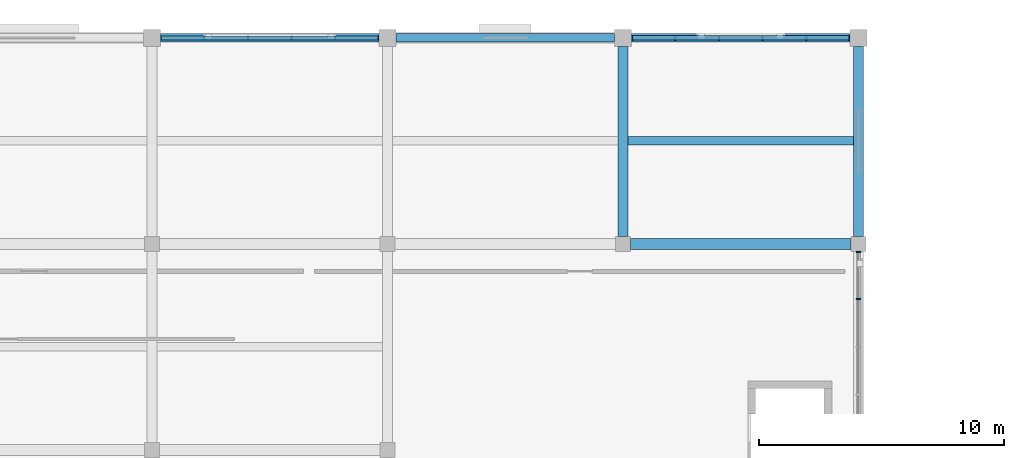
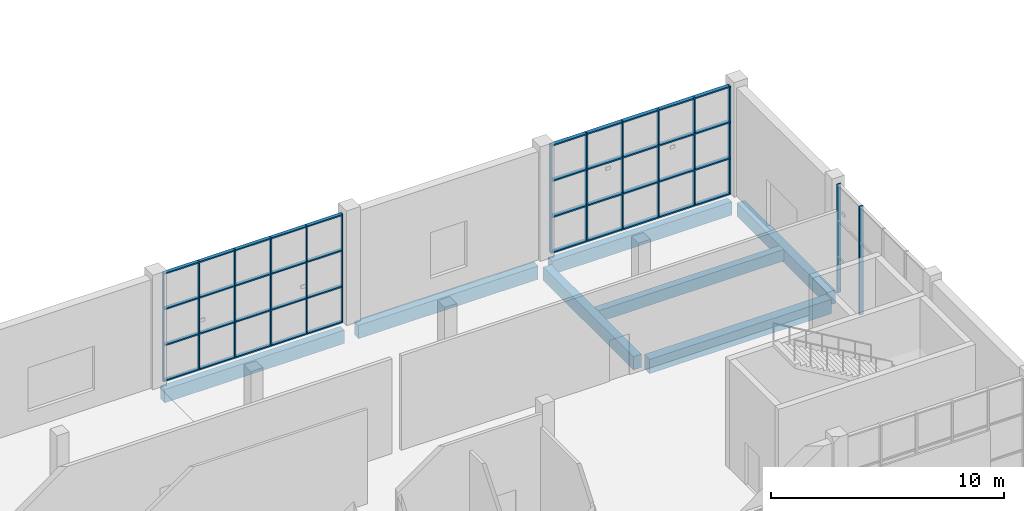
# One storey, part 34 of 84: 22 members, 7 beams, 3 elements without a shape of their own.
"""IFC4 building model written with IfcOpenShell, lengths in metres."""

from ifc_helpers import new_model, si_unit, direction, frame, origin, origin_2d, place, context, subcontext, project, spatial, rectangle, extrude, material, material_profile, profile_set, type_object, element, aggregate, save


model = new_model("IFC4")

# Units and contexts
model_context = context("Model", 3, precision=1e-05, world=origin(), true_north=direction((0.0, 1.0)))
body_context = subcontext(model_context, "Body", "Model", "MODEL_VIEW")
ifc_project = project(units=[si_unit("LENGTHUNIT", "METRE"), si_unit("AREAUNIT", "SQUARE_METRE"), si_unit("VOLUMEUNIT", "CUBIC_METRE"), si_unit("PLANEANGLEUNIT", "RADIAN"), si_unit("MASSUNIT", "GRAM", prefix="KILO")], contexts=[model_context])

# Site, building, storey
site_placement = place(None, origin())
site = spatial("IfcSite", under=ifc_project, at=site_placement, CompositionType="ELEMENT")
building_placement = place(site_placement, origin())
building = spatial("IfcBuilding", under=site, at=building_placement, Name="Shalvenor Court Art Gallery", CompositionType="ELEMENT")
storey_placement = place(building_placement, origin())
storey = spatial("IfcBuildingStorey", under=building, at=storey_placement, Name="L00", CompositionType="ELEMENT", Elevation=0.0)

# Beams
ifc_material_1 = material(Name="Concrete C40/50", Category="concrete")
ifc_material_profile_1 = material_profile(ifc_material_1, rectangle(XDim=0.449951171875, YDim=0.75, at=origin_2d()), Name="RC 450x750")
ifc_profile_set_1 = profile_set([ifc_material_profile_1], Name="Concrete C40/50")
beam_type_1 = type_object("IfcBeamType", Name="B-04", PredefinedType="BEAM", material=ifc_profile_set_1)
beam_1_placement = place(storey_placement, frame((115.5, 114.0, -0.715087890625), z_axis=(1.0, 0.0, 0.0), x_axis=(0.0, 1.0, 0.0)))
element("IfcBeam", 1, at=beam_1_placement, inside=storey, type_object=beam_type_1, Name="L00 Girder BM-L00-B-04-0268", PredefinedType="BEAM", context=body_context, shape_type="SweptSolid", body=[
    extrude(rectangle(XDim=0.449951171875, YDim=0.75, at=origin_2d()), origin(), (0.0, 0.0, 1.0), 9.0),
])
ifc_material_2 = material(Name="Concrete C40/50", Category="concrete")
ifc_material_profile_2 = material_profile(ifc_material_2, rectangle(XDim=0.39990234375, YDim=0.699951171875, at=origin_2d()), Name="RC 400x700")
ifc_profile_set_2 = profile_set([ifc_material_profile_2], Name="Concrete C40/50")
beam_type_2 = type_object("IfcBeamType", Name="B-05", PredefinedType="BEAM", material=ifc_profile_set_2)
for number, where, z_axis, x_axis, name in (
    (2, (115.199951171875, 114.300048828125, -0.68994140625), (0.0, 1.0, 0.0), (-1.0, 0.0, 0.0), "L00 Girder BM-L00-B-05-0095"),
    (3, (124.800048828125, 114.300048828125, -0.68994140625), (0.0, 1.0, 0.0), (-1.0, 0.0, 0.0), "L00 Girder BM-L00-B-05-0105"),
):
    element("IfcBeam", number, at=place(storey_placement, frame(where, z_axis=z_axis, x_axis=x_axis)), inside=storey, type_object=beam_type_2, Name=name, PredefinedType="BEAM", context=body_context, shape_type="SweptSolid", body=[
        extrude(rectangle(XDim=0.39990234375, YDim=0.699951171875, at=origin_2d()), origin(), (0.0, 0.0, 1.0), 7.75),
    ])

# Curtain wall, members
ifc_material_3 = material(Name="Anodised aluminium and low-iron glass curtain wall", Category="aluminium")
curtain_wall_type_1 = type_object("IfcCurtainWallType", Name="CW-5x3-89-57-142", PredefinedType="USERDEFINED", material=ifc_material_3)
curtain_wall_1_placement = place(storey_placement, origin())
curtain_wall_1 = element("IfcCurtainWall", 4, at=curtain_wall_1_placement, inside=storey, type_object=curtain_wall_type_1, Name="L00 V2 Curtain Wall CW-L00-056", ObjectType="CURTAIN WALL", PredefinedType="USERDEFINED")
ifc_material_4 = material(Name="Anodised aluminium mullion", Category="aluminium")
ifc_material_profile_3 = material_profile(ifc_material_4, rectangle(XDim=0.06494140625, YDim=0.179931640625, at=origin_2d()), Name="CWM-01")
ifc_profile_set_3 = profile_set([ifc_material_profile_3], Name="Anodised aluminium mullion")
member_type_1 = type_object("IfcMemberType", Name="CWM-01", PredefinedType="MULLION", material=ifc_profile_set_3)
member_1_placement = place(storey_placement, frame((115.58251953125, 122.39990234375, 0.0), z_axis=(0.0, 0.0, 1.0), x_axis=(1.0, 0.0, 0.0)))
member_1 = element("IfcMember", 5, at=member_1_placement, type_object=member_type_1, Name="CW-5x3-89-57-142 mullion 1", PredefinedType="MULLION", context=body_context, shape_type="SweptSolid", body=[
    extrude(rectangle(XDim=0.06494140625, YDim=0.179931640625, at=origin_2d()), origin(), (0.0, 0.0, 1.0), 5.679931640625),
])
member_2_placement = place(storey_placement, frame((117.330078125, 122.39990234375, 0.0), z_axis=(0.0, 0.0, 1.0), x_axis=(1.0, 0.0, 0.0)))
member_2 = element("IfcMember", 6, at=member_2_placement, type_object=member_type_1, Name="CW-5x3-89-57-142 mullion 2", PredefinedType="MULLION", context=body_context, shape_type="SweptSolid", body=[
    extrude(rectangle(XDim=0.06494140625, YDim=0.179931640625, at=origin_2d()), origin(), (0.0, 0.0, 1.0), 5.679931640625),
])
member_3_placement = place(storey_placement, frame((119.110107421875, 122.39990234375, 0.0), z_axis=(0.0, 0.0, 1.0), x_axis=(1.0, 0.0, 0.0)))
member_3 = element("IfcMember", 7, at=member_3_placement, type_object=member_type_1, Name="CW-5x3-89-57-142 mullion 3", PredefinedType="MULLION", context=body_context, shape_type="SweptSolid", body=[
    extrude(rectangle(XDim=0.06494140625, YDim=0.179931640625, at=origin_2d()), origin(), (0.0, 0.0, 1.0), 5.679931640625),
])
member_4_placement = place(storey_placement, frame((120.889892578125, 122.39990234375, 0.0), z_axis=(0.0, 0.0, 1.0), x_axis=(1.0, 0.0, 0.0)))
member_4 = element("IfcMember", 8, at=member_4_placement, type_object=member_type_1, Name="CW-5x3-89-57-142 mullion 4", PredefinedType="MULLION", context=body_context, shape_type="SweptSolid", body=[
    extrude(rectangle(XDim=0.06494140625, YDim=0.179931640625, at=origin_2d()), origin(), (0.0, 0.0, 1.0), 5.679931640625),
])
member_5_placement = place(storey_placement, frame((122.669921875, 122.39990234375, 0.0), z_axis=(0.0, 0.0, 1.0), x_axis=(1.0, 0.0, 0.0)))
member_5 = element("IfcMember", 9, at=member_5_placement, type_object=member_type_1, Name="CW-5x3-89-57-142 mullion 5", PredefinedType="MULLION", context=body_context, shape_type="SweptSolid", body=[
    extrude(rectangle(XDim=0.06494140625, YDim=0.179931640625, at=origin_2d()), origin(), (0.0, 0.0, 1.0), 5.679931640625),
])
member_6_placement = place(storey_placement, frame((124.41748046875, 122.39990234375, 0.0), z_axis=(0.0, 0.0, 1.0), x_axis=(1.0, 0.0, 0.0)))
member_6 = element("IfcMember", 10, at=member_6_placement, type_object=member_type_1, Name="CW-5x3-89-57-142 mullion 6", PredefinedType="MULLION", context=body_context, shape_type="SweptSolid", body=[
    extrude(rectangle(XDim=0.06494140625, YDim=0.179931640625, at=origin_2d()), origin(), (0.0, 0.0, 1.0), 5.679931640625),
])

ifc_material_5 = material(Name="Anodised aluminium and low-iron glass curtain wall", Category="aluminium")
curtain_wall_type_2 = type_object("IfcCurtainWallType", Name="CW-4x3-78-57-212", PredefinedType="USERDEFINED", material=ifc_material_5)
curtain_wall_2_placement = place(storey_placement, origin())
curtain_wall_2 = element("IfcCurtainWall", 11, at=curtain_wall_2_placement, inside=storey, type_object=curtain_wall_type_2, Name="L00 V2 Curtain Wall CW-L00-057", ObjectType="CURTAIN WALL", PredefinedType="USERDEFINED")
ifc_material_6 = material(Name="Anodised aluminium mullion", Category="aluminium")
ifc_material_profile_4 = material_profile(ifc_material_6, rectangle(XDim=0.070068359375, YDim=0.199951171875, at=origin_2d()), Name="CWM-02")
ifc_profile_set_4 = profile_set([ifc_material_profile_4], Name="Anodised aluminium mullion")
member_type_2 = type_object("IfcMemberType", Name="CWM-02", PredefinedType="MULLION", material=ifc_profile_set_4)
member_7_placement = place(storey_placement, frame((124.800048828125, 113.6650390625, 0.0), z_axis=(0.0, 0.0, 1.0), x_axis=(0.0, -1.0, 0.0)))
member_7 = element("IfcMember", 12, at=member_7_placement, type_object=member_type_2, Name="CW-4x3-78-57-212 mullion 1", PredefinedType="MULLION", context=body_context, shape_type="SweptSolid", body=[
    extrude(rectangle(XDim=0.070068359375, YDim=0.199951171875, at=origin_2d()), origin(), (0.0, 0.0, 1.0), 5.679931640625),
])
member_8_placement = place(storey_placement, frame((124.800048828125, 111.75, 0.0), z_axis=(0.0, 0.0, 1.0), x_axis=(0.0, -1.0, 0.0)))
member_8 = element("IfcMember", 13, at=member_8_placement, type_object=member_type_2, Name="CW-4x3-78-57-212 mullion 2", PredefinedType="MULLION", context=body_context, shape_type="SweptSolid", body=[
    extrude(rectangle(XDim=0.070068359375, YDim=0.199951171875, at=origin_2d()), origin(), (0.0, 0.0, 1.0), 5.679931640625),
])
aggregate(curtain_wall_2, [member_7, member_8])

ifc_material_7 = material(Name="Anodised aluminium and low-iron glass curtain wall", Category="aluminium")
curtain_wall_type_3 = type_object("IfcCurtainWallType", Name="CW-5x3-89-57-622", PredefinedType="USERDEFINED", material=ifc_material_7)
curtain_wall_3_placement = place(storey_placement, origin())
curtain_wall_3 = element("IfcCurtainWall", 14, at=curtain_wall_3_placement, inside=storey, type_object=curtain_wall_type_3, Name="L00 V2 Curtain Wall CW-L00-055", ObjectType="CURTAIN WALL", PredefinedType="USERDEFINED")
ifc_material_8 = material(Name="Anodised aluminium mullion", Category="aluminium")
ifc_material_profile_5 = material_profile(ifc_material_8, rectangle(XDim=0.054931640625, YDim=0.139892578125, at=origin_2d()), Name="CWM-06")
ifc_profile_set_5 = profile_set([ifc_material_profile_5], Name="Anodised aluminium mullion")
member_type_3 = type_object("IfcMemberType", Name="CWM-06", PredefinedType="MULLION", material=ifc_profile_set_5)
member_9_placement = place(storey_placement, frame((96.37744140625, 122.39990234375, 0.0), z_axis=(0.0, 0.0, 1.0), x_axis=(1.0, 0.0, 0.0)))
member_9 = element("IfcMember", 15, at=member_9_placement, type_object=member_type_3, Name="CW-5x3-89-57-622 mullion 1", PredefinedType="MULLION", context=body_context, shape_type="SweptSolid", body=[
    extrude(rectangle(XDim=0.054931640625, YDim=0.139892578125, at=origin_2d()), origin(), (0.0, 0.0, 1.0), 5.679931640625),
])
member_10_placement = place(storey_placement, frame((98.1298828125, 122.39990234375, 0.0), z_axis=(0.0, 0.0, 1.0), x_axis=(1.0, 0.0, 0.0)))
member_10 = element("IfcMember", 16, at=member_10_placement, type_object=member_type_3, Name="CW-5x3-89-57-622 mullion 2", PredefinedType="MULLION", context=body_context, shape_type="SweptSolid", body=[
    extrude(rectangle(XDim=0.054931640625, YDim=0.139892578125, at=origin_2d()), origin(), (0.0, 0.0, 1.0), 5.679931640625),
])
member_11_placement = place(storey_placement, frame((99.909912109375, 122.39990234375, 0.0), z_axis=(0.0, 0.0, 1.0), x_axis=(1.0, 0.0, 0.0)))
member_11 = element("IfcMember", 17, at=member_11_placement, type_object=member_type_3, Name="CW-5x3-89-57-622 mullion 3", PredefinedType="MULLION", context=body_context, shape_type="SweptSolid", body=[
    extrude(rectangle(XDim=0.054931640625, YDim=0.139892578125, at=origin_2d()), origin(), (0.0, 0.0, 1.0), 5.679931640625),
])
member_12_placement = place(storey_placement, frame((101.68994140625, 122.39990234375, 0.0), z_axis=(0.0, 0.0, 1.0), x_axis=(1.0, 0.0, 0.0)))
member_12 = element("IfcMember", 18, at=member_12_placement, type_object=member_type_3, Name="CW-5x3-89-57-622 mullion 4", PredefinedType="MULLION", context=body_context, shape_type="SweptSolid", body=[
    extrude(rectangle(XDim=0.054931640625, YDim=0.139892578125, at=origin_2d()), origin(), (0.0, 0.0, 1.0), 5.679931640625),
])
member_13_placement = place(storey_placement, frame((103.469970703125, 122.39990234375, 0.0), z_axis=(0.0, 0.0, 1.0), x_axis=(1.0, 0.0, 0.0)))
member_13 = element("IfcMember", 19, at=member_13_placement, type_object=member_type_3, Name="CW-5x3-89-57-622 mullion 5", PredefinedType="MULLION", context=body_context, shape_type="SweptSolid", body=[
    extrude(rectangle(XDim=0.054931640625, YDim=0.139892578125, at=origin_2d()), origin(), (0.0, 0.0, 1.0), 5.679931640625),
])
member_14_placement = place(storey_placement, frame((105.222412109375, 122.39990234375, 0.0), z_axis=(0.0, 0.0, 1.0), x_axis=(1.0, 0.0, 0.0)))
member_14 = element("IfcMember", 20, at=member_14_placement, type_object=member_type_3, Name="CW-5x3-89-57-622 mullion 6", PredefinedType="MULLION", context=body_context, shape_type="SweptSolid", body=[
    extrude(rectangle(XDim=0.054931640625, YDim=0.139892578125, at=origin_2d()), origin(), (0.0, 0.0, 1.0), 5.679931640625),
])
ifc_material_9 = material(Name="Anodised aluminium transom", Category="aluminium")
ifc_material_profile_6 = material_profile(ifc_material_9, rectangle(XDim=0.169921875, YDim=0.06494140625, at=origin_2d()), Name="CWT-02")
ifc_profile_set_6 = profile_set([ifc_material_profile_6], Name="Anodised aluminium transom")
member_type_4 = type_object("IfcMemberType", Name="CWT-02", PredefinedType="USERDEFINED", material=ifc_profile_set_6)
member_15_placement = place(storey_placement, frame((96.37744140625, 122.39990234375, 0.032470703125), z_axis=(1.0, 0.0, 0.0), x_axis=(0.0, 1.0, 0.0)))
member_15 = element("IfcMember", 21, at=member_15_placement, type_object=member_type_4, Name="CW-5x3-89-57-622 transom 1", ObjectType="TRANSOM", PredefinedType="USERDEFINED", context=body_context, shape_type="SweptSolid", body=[
    extrude(rectangle(XDim=0.169921875, YDim=0.06494140625, at=origin_2d()), origin(), (0.0, 0.0, 1.0), 8.844970703125),
])
member_16_placement = place(storey_placement, frame((96.37744140625, 122.39990234375, 1.893310546875), z_axis=(1.0, 0.0, 0.0), x_axis=(0.0, 1.0, 0.0)))
member_16 = element("IfcMember", 22, at=member_16_placement, type_object=member_type_4, Name="CW-5x3-89-57-622 transom 2", ObjectType="TRANSOM", PredefinedType="USERDEFINED", context=body_context, shape_type="SweptSolid", body=[
    extrude(rectangle(XDim=0.169921875, YDim=0.06494140625, at=origin_2d()), origin(), (0.0, 0.0, 1.0), 8.844970703125),
])
member_17_placement = place(storey_placement, frame((96.37744140625, 122.39990234375, 3.78662109375), z_axis=(1.0, 0.0, 0.0), x_axis=(0.0, 1.0, 0.0)))
member_17 = element("IfcMember", 23, at=member_17_placement, type_object=member_type_4, Name="CW-5x3-89-57-622 transom 3", ObjectType="TRANSOM", PredefinedType="USERDEFINED", context=body_context, shape_type="SweptSolid", body=[
    extrude(rectangle(XDim=0.169921875, YDim=0.06494140625, at=origin_2d()), origin(), (0.0, 0.0, 1.0), 8.844970703125),
])
member_18_placement = place(storey_placement, frame((96.37744140625, 122.39990234375, 5.6474609375), z_axis=(1.0, 0.0, 0.0), x_axis=(0.0, 1.0, 0.0)))
member_18 = element("IfcMember", 24, at=member_18_placement, type_object=member_type_4, Name="CW-5x3-89-57-622 transom 4", ObjectType="TRANSOM", PredefinedType="USERDEFINED", context=body_context, shape_type="SweptSolid", body=[
    extrude(rectangle(XDim=0.169921875, YDim=0.06494140625, at=origin_2d()), origin(), (0.0, 0.0, 1.0), 8.844970703125),
])
aggregate(curtain_wall_3, [member_9, member_10, member_11, member_12, member_13, member_14, member_15, member_16, member_17, member_18])

# Member
ifc_material_10 = material(Name="Anodised aluminium transom", Category="aluminium")
ifc_material_profile_7 = material_profile(ifc_material_10, rectangle(XDim=0.18994140625, YDim=0.070068359375, at=origin_2d()), Name="CWT-04")
ifc_profile_set_7 = profile_set([ifc_material_profile_7], Name="Anodised aluminium transom")
member_type_5 = type_object("IfcMemberType", Name="CWT-04", PredefinedType="USERDEFINED", material=ifc_profile_set_7)
member_19_placement = place(storey_placement, frame((115.58251953125, 122.39990234375, 0.034912109375), z_axis=(1.0, 0.0, 0.0), x_axis=(0.0, 1.0, 0.0)))
member_19 = element("IfcMember", 25, at=member_19_placement, type_object=member_type_5, Name="CW-5x3-89-57-142 transom 1", ObjectType="TRANSOM", PredefinedType="USERDEFINED", context=body_context, shape_type="SweptSolid", body=[
    extrude(rectangle(XDim=0.18994140625, YDim=0.070068359375, at=origin_2d()), origin(), (0.0, 0.0, 1.0), 8.8349609375),
])

member_20_placement = place(storey_placement, frame((115.58251953125, 122.39990234375, 1.893310546875), z_axis=(1.0, 0.0, 0.0), x_axis=(0.0, 1.0, 0.0)))
member_20 = element("IfcMember", 26, at=member_20_placement, type_object=member_type_5, Name="CW-5x3-89-57-142 transom 2", ObjectType="TRANSOM", PredefinedType="USERDEFINED", context=body_context, shape_type="SweptSolid", body=[
    extrude(rectangle(XDim=0.18994140625, YDim=0.070068359375, at=origin_2d()), origin(), (0.0, 0.0, 1.0), 8.8349609375),
])

member_21_placement = place(storey_placement, frame((115.58251953125, 122.39990234375, 3.78662109375), z_axis=(1.0, 0.0, 0.0), x_axis=(0.0, 1.0, 0.0)))
member_21 = element("IfcMember", 27, at=member_21_placement, type_object=member_type_5, Name="CW-5x3-89-57-142 transom 3", ObjectType="TRANSOM", PredefinedType="USERDEFINED", context=body_context, shape_type="SweptSolid", body=[
    extrude(rectangle(XDim=0.18994140625, YDim=0.070068359375, at=origin_2d()), origin(), (0.0, 0.0, 1.0), 8.8349609375),
])

member_22_placement = place(storey_placement, frame((115.58251953125, 122.39990234375, 5.64501953125), z_axis=(1.0, 0.0, 0.0), x_axis=(0.0, 1.0, 0.0)))
member_22 = element("IfcMember", 28, at=member_22_placement, type_object=member_type_5, Name="CW-5x3-89-57-142 transom 4", ObjectType="TRANSOM", PredefinedType="USERDEFINED", context=body_context, shape_type="SweptSolid", body=[
    extrude(rectangle(XDim=0.18994140625, YDim=0.070068359375, at=origin_2d()), origin(), (0.0, 0.0, 1.0), 8.8349609375),
])

aggregate(curtain_wall_1, [member_1, member_2, member_3, member_4, member_5, member_6, member_19, member_20, member_21, member_22])

# Beams
ifc_material_11 = material(Name="Concrete C40/50", Category="concrete")
ifc_material_profile_8 = material_profile(ifc_material_11, rectangle(XDim=0.35009765625, YDim=0.60009765625, at=origin_2d()), Name="RC 350x600")
ifc_profile_set_8 = profile_set([ifc_material_profile_8], Name="Concrete C40/50")
beam_type_3 = type_object("IfcBeamType", Name="J-01", PredefinedType="JOIST", material=ifc_profile_set_8)
beam_2_placement = place(storey_placement, frame((115.39990234375, 118.199951171875, -0.639892578125), z_axis=(1.0, 0.0, 0.0), x_axis=(0.0, 1.0, 0.0)))
element("IfcBeam", 29, at=beam_2_placement, inside=storey, type_object=beam_type_3, Name="L00 Secondary Beam JST-L00-J-01-0336", PredefinedType="JOIST", context=body_context, shape_type="SweptSolid", body=[
    extrude(rectangle(XDim=0.35009765625, YDim=0.60009765625, at=origin_2d()), origin(), (0.0, 0.0, 1.0), 9.2001953125),
])
ifc_material_12 = material(Name="Concrete C40/50", Category="concrete")
ifc_material_profile_9 = material_profile(ifc_material_12, rectangle(XDim=0.35009765625, YDim=0.699951171875, at=origin_2d()), Name="RC 350x700")
ifc_profile_set_9 = profile_set([ifc_material_profile_9], Name="Concrete C40/50")
beam_type_4 = type_object("IfcBeamType", Name="SP-01", PredefinedType="SPANDREL", material=ifc_profile_set_9)
beam_3_placement = place(storey_placement, frame((96.35009765625, 122.39990234375, -0.68994140625), z_axis=(1.0, 0.0, 0.0), x_axis=(0.0, 1.0, 0.0)))
element("IfcBeam", 30, at=beam_3_placement, inside=storey, type_object=beam_type_4, Name="L00 Spandrel Girder BM-L00-SP-01-0277", PredefinedType="SPANDREL", context=body_context, shape_type="SweptSolid", body=[
    extrude(rectangle(XDim=0.35009765625, YDim=0.699951171875, at=origin_2d()), origin(), (0.0, 0.0, 1.0), 8.89990234375),
])
beam_4_placement = place(storey_placement, frame((105.949951171875, 122.39990234375, -0.68994140625), z_axis=(1.0, 0.0, 0.0), x_axis=(0.0, 1.0, 0.0)))
element("IfcBeam", 31, at=beam_4_placement, inside=storey, type_object=beam_type_4, Name="L00 Spandrel Girder BM-L00-SP-01-0278", PredefinedType="SPANDREL", context=body_context, shape_type="SweptSolid", body=[
    extrude(rectangle(XDim=0.35009765625, YDim=0.699951171875, at=origin_2d()), origin(), (0.0, 0.0, 1.0), 8.900146484375),
])
beam_5_placement = place(storey_placement, frame((115.550048828125, 122.39990234375, -0.68994140625), z_axis=(1.0, 0.0, 0.0), x_axis=(0.0, 1.0, 0.0)))
element("IfcBeam", 32, at=beam_5_placement, inside=storey, type_object=beam_type_4, Name="L00 Spandrel Girder BM-L00-SP-01-0279", PredefinedType="SPANDREL", context=body_context, shape_type="SweptSolid", body=[
    extrude(rectangle(XDim=0.35009765625, YDim=0.699951171875, at=origin_2d()), origin(), (0.0, 0.0, 1.0), 8.89990234375),
])

save(model, "model.ifc")
